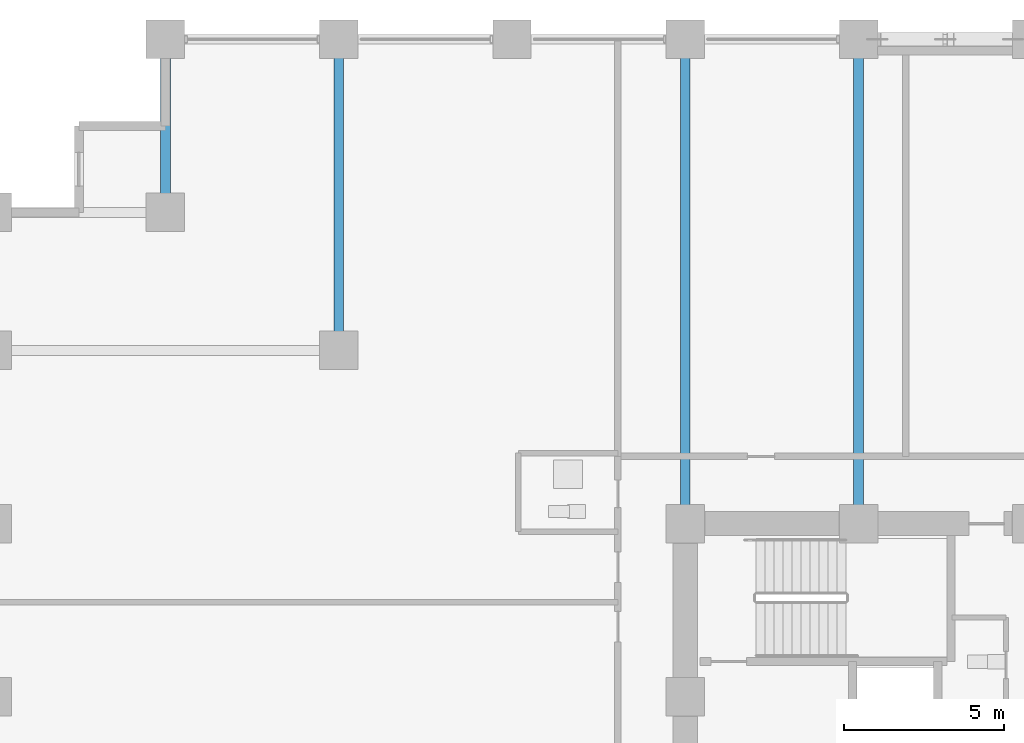
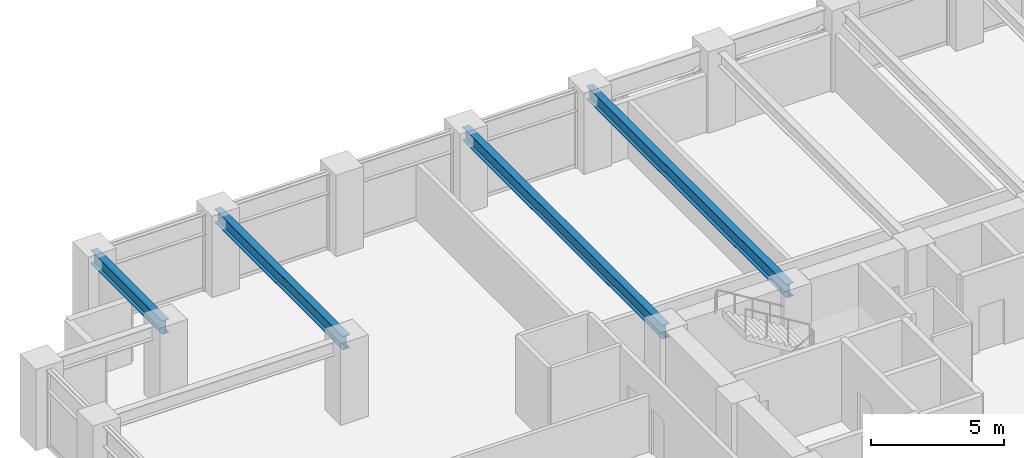
# One storey, part 11 of 27: 4 beams.
"""IFC4 building model written with IfcOpenShell, lengths in metres."""

from ifc_helpers import new_model, si_unit, direction, frame, origin, origin_2d, place, context, subcontext, project, spatial, i_section, extrude, material, material_profile, profile_set, type_object, element, save


model = new_model("IFC4")

# Units and contexts
model_context = context("Model", 3, precision=1e-05, world=origin(), true_north=direction((0.0, 1.0)))
body_context = subcontext(model_context, "Body", "Model", "MODEL_VIEW")
ifc_project = project(units=[si_unit("LENGTHUNIT", "METRE"), si_unit("AREAUNIT", "SQUARE_METRE"), si_unit("VOLUMEUNIT", "CUBIC_METRE"), si_unit("PLANEANGLEUNIT", "RADIAN"), si_unit("MASSUNIT", "GRAM", prefix="KILO")], contexts=[model_context])

# Site, building, storey
site_placement = place(None, origin())
site = spatial("IfcSite", under=ifc_project, at=site_placement, CompositionType="ELEMENT")
building_placement = place(site_placement, origin())
building = spatial("IfcBuilding", under=site, at=building_placement, Name="Surkhivell Harbour Commons", CompositionType="ELEMENT")
storey_placement = place(building_placement, frame((0.0, 0.0, 56.25)))
storey = spatial("IfcBuildingStorey", under=building, at=storey_placement, Name="L14", CompositionType="ELEMENT", Elevation=56.25)

# Beams
ifc_material = material(Name="Steel S355", Category="steel")
ifc_material_profile = material_profile(ifc_material, i_section(OverallWidth=0.306884765625, OverallDepth=0.6201171875, WebThickness=0.01416015625, FlangeThickness=0.023681640625, at=origin_2d()), Name="UB610x305x179")
ifc_profile_set = profile_set([ifc_material_profile], Name="Steel S355")
beam_type = type_object("IfcBeamType", Name="BM-GRD-610A", PredefinedType="BEAM", material=ifc_profile_set)
beam_1_placement = place(storey_placement, frame((-27.0, 20.5, 3.260009765625), z_axis=(0.0, 1.0, 0.0), x_axis=(-1.0, 0.0, 0.0)))
element("IfcBeam", 1, at=beam_1_placement, inside=storey, type_object=beam_type, Name="L14 Floor Girder (-27.0,20.5)", PredefinedType="BEAM", context=body_context, shape_type="SweptSolid", body=[
    extrude(i_section(OverallWidth=0.306884765625, OverallDepth=0.6201171875, WebThickness=0.01416015625, FlangeThickness=0.023681640625, at=origin_2d()), origin(), (0.0, 0.0, 1.0), 5.39990234375),
])
beam_2_placement = place(storey_placement, frame((-21.60009765625, 16.199951171875, 3.260009765625), z_axis=(0.0, 1.0, 0.0), x_axis=(-1.0, 0.0, 0.0)))
element("IfcBeam", 2, at=beam_2_placement, inside=storey, type_object=beam_type, Name="L14 Floor Girder (-21.6,16.2)", PredefinedType="BEAM", context=body_context, shape_type="SweptSolid", body=[
    extrude(i_section(OverallWidth=0.306884765625, OverallDepth=0.6201171875, WebThickness=0.01416015625, FlangeThickness=0.023681640625, at=origin_2d()), origin(), (0.0, 0.0, 1.0), 9.699951171875),
])
for number, where, z_axis, x_axis, name in (
    (3, (-10.800048828125, 10.800048828125, 3.260009765625), (0.0, 1.0, 0.0), (-1.0, 0.0, 0.0), "L14 Floor Girder (-10.8,10.8)"),
    (4, (-5.39990234375, 10.800048828125, 3.260009765625), (0.0, 1.0, 0.0), (-1.0, 0.0, 0.0), "L14 Floor Girder (-5.4,10.8)"),
):
    element("IfcBeam", number, at=place(storey_placement, frame(where, z_axis=z_axis, x_axis=x_axis)), inside=storey, type_object=beam_type, Name=name, PredefinedType="BEAM", context=body_context, shape_type="SweptSolid", body=[
        extrude(i_section(OverallWidth=0.306884765625, OverallDepth=0.6201171875, WebThickness=0.01416015625, FlangeThickness=0.023681640625, at=origin_2d()), origin(), (0.0, 0.0, 1.0), 15.099853515625),
    ])

save(model, "model.ifc")
